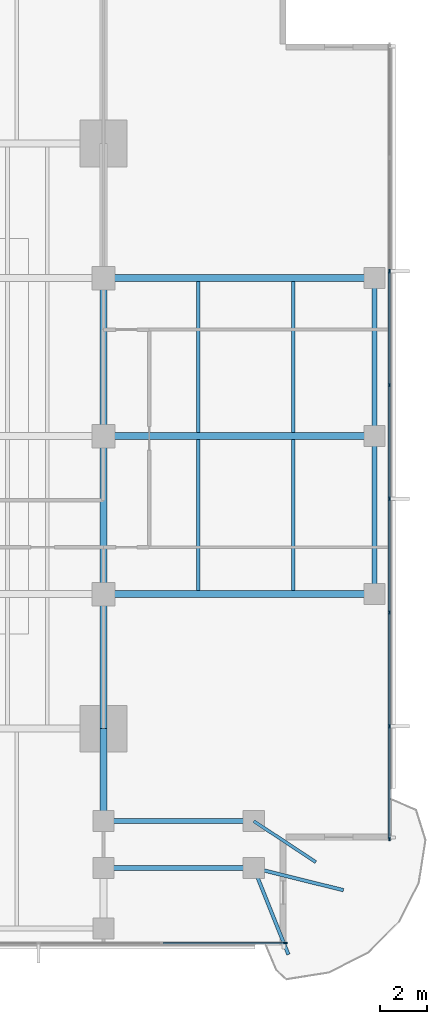
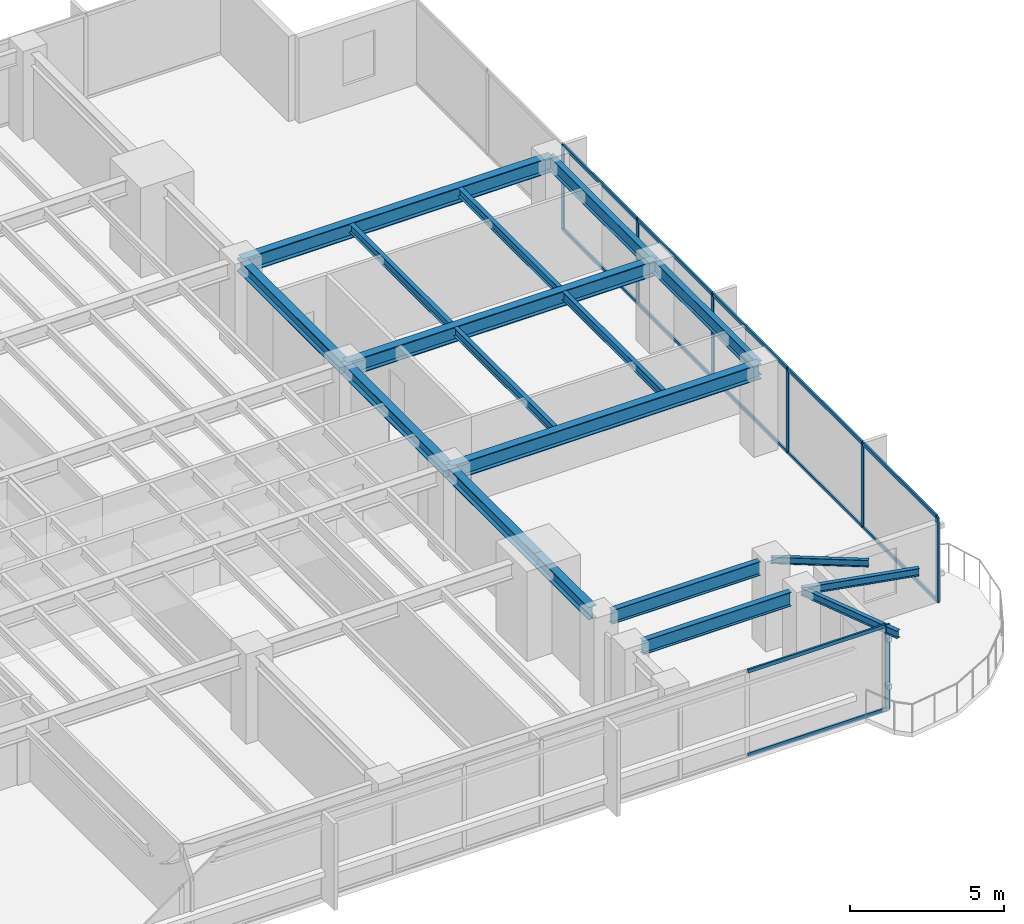
# One storey, part 4 of 15: 19 members, 18 beams, 2 elements without a shape of their own.
"""IFC4 building model written with IfcOpenShell, lengths in metres."""

from ifc_helpers import new_model, si_unit, direction, frame, origin, origin_2d, place, context, subcontext, project, spatial, rectangle, i_section, extrude, material, layer, layer_set, material_profile, profile_set, type_object, element, aggregate, save


model = new_model("IFC4")

# Units and contexts
model_context = context("Model", 3, precision=1e-05, world=origin(), true_north=direction((0.0, 1.0)))
body_context = subcontext(model_context, "Body", "Model", "MODEL_VIEW")
ifc_project = project(units=[si_unit("LENGTHUNIT", "METRE"), si_unit("AREAUNIT", "SQUARE_METRE"), si_unit("VOLUMEUNIT", "CUBIC_METRE"), si_unit("PLANEANGLEUNIT", "RADIAN"), si_unit("MASSUNIT", "GRAM", prefix="KILO")], contexts=[model_context])

# Site, building, storey
site_placement = place(None, origin())
site = spatial("IfcSite", under=ifc_project, at=site_placement, CompositionType="ELEMENT")
building_placement = place(site_placement, origin())
building = spatial("IfcBuilding", under=site, at=building_placement, Name="Kinhvarn Gate Tower", CompositionType="ELEMENT")
storey_placement = place(building_placement, frame((0.0, 0.0, 105.800048828125)))
storey = spatial("IfcBuildingStorey", under=building, at=storey_placement, Name="L27", CompositionType="ELEMENT", Elevation=105.800048828125)

# Curtain wall, member
ifc_material_1 = material(Name="Anodised aluminium AW-6063", Category="aluminium")
ifc_layer = layer(ifc_material_1, 0.179931640625)
ifc_layer_set = layer_set([ifc_layer], Name="Anodised aluminium AW-6063")
curtain_wall_type = type_object("IfcCurtainWallType", Name="CW-SYS-3", PredefinedType="NOTDEFINED", material=ifc_layer_set)
curtain_wall_1_placement = place(storey_placement, origin())
curtain_wall_1 = element("IfcCurtainWall", 1, at=curtain_wall_1_placement, inside=storey, type_object=curtain_wall_type, Name="Curtain Wall CW3 (L27)", PredefinedType="NOTDEFINED")
ifc_material_profile_1 = material_profile(ifc_material_1, rectangle(XDim=0.06494140625, YDim=0.159912109375, at=origin_2d()), Name="ALU 65x160")
ifc_profile_set_1 = profile_set([ifc_material_profile_1], Name="Anodised aluminium AW-6063")
member_type_1 = type_object("IfcMemberType", Name="CW-MUL-160", PredefinedType="MULLION", material=ifc_profile_set_1)
member_1_placement = place(storey_placement, frame((45.967529296875, 3.590087890625, 0.0), z_axis=(0.0, 0.0, 1.0), x_axis=(0.0, 1.0, 0.0)))
member_1 = element("IfcMember", 2, at=member_1_placement, type_object=member_type_1, Name="CW3 mullion 8", PredefinedType="MULLION", context=body_context, shape_type="SweptSolid", body=[
    extrude(rectangle(XDim=0.06494140625, YDim=0.159912109375, at=origin_2d()), origin(), (0.0, 0.0, 1.0), 3.369873046875),
])

# Curtain wall, members
curtain_wall_2_placement = place(storey_placement, origin())
curtain_wall_2 = element("IfcCurtainWall", 3, at=curtain_wall_2_placement, inside=storey, type_object=curtain_wall_type, Name="Curtain Wall CW3 (L27)", PredefinedType="NOTDEFINED")
member_2_placement = place(storey_placement, frame((50.409912109375, 8.032470703125, 0.0), z_axis=(0.0, 0.0, 1.0), x_axis=(-1.0, 0.0, 0.0)))
member_2 = element("IfcMember", 4, at=member_2_placement, type_object=member_type_1, Name="CW3 mullion 1", PredefinedType="MULLION", context=body_context, shape_type="SweptSolid", body=[
    extrude(rectangle(XDim=0.06494140625, YDim=0.159912109375, at=origin_2d()), origin(), (0.0, 0.0, 1.0), 3.369873046875),
])
member_3_placement = place(storey_placement, frame((50.409912109375, 12.857177734375, 0.0), z_axis=(0.0, 0.0, 1.0), x_axis=(-1.0, 0.0, 0.0)))
member_3 = element("IfcMember", 5, at=member_3_placement, type_object=member_type_1, Name="CW3 mullion 2", PredefinedType="MULLION", context=body_context, shape_type="SweptSolid", body=[
    extrude(rectangle(XDim=0.06494140625, YDim=0.159912109375, at=origin_2d()), origin(), (0.0, 0.0, 1.0), 3.369873046875),
])
member_4_placement = place(storey_placement, frame((50.409912109375, 17.71435546875, 0.0), z_axis=(0.0, 0.0, 1.0), x_axis=(-1.0, 0.0, 0.0)))
member_4 = element("IfcMember", 6, at=member_4_placement, type_object=member_type_1, Name="CW3 mullion 3", PredefinedType="MULLION", context=body_context, shape_type="SweptSolid", body=[
    extrude(rectangle(XDim=0.06494140625, YDim=0.159912109375, at=origin_2d()), origin(), (0.0, 0.0, 1.0), 3.369873046875),
])
member_5_placement = place(storey_placement, frame((50.409912109375, 22.571533203125, 0.0), z_axis=(0.0, 0.0, 1.0), x_axis=(-1.0, 0.0, 0.0)))
member_5 = element("IfcMember", 7, at=member_5_placement, type_object=member_type_1, Name="CW3 mullion 4", PredefinedType="MULLION", context=body_context, shape_type="SweptSolid", body=[
    extrude(rectangle(XDim=0.06494140625, YDim=0.159912109375, at=origin_2d()), origin(), (0.0, 0.0, 1.0), 3.369873046875),
])
member_6_placement = place(storey_placement, frame((50.409912109375, 27.428466796875, 0.0), z_axis=(0.0, 0.0, 1.0), x_axis=(-1.0, 0.0, 0.0)))
member_6 = element("IfcMember", 8, at=member_6_placement, type_object=member_type_1, Name="CW3 mullion 5", PredefinedType="MULLION", context=body_context, shape_type="SweptSolid", body=[
    extrude(rectangle(XDim=0.06494140625, YDim=0.159912109375, at=origin_2d()), origin(), (0.0, 0.0, 1.0), 3.369873046875),
])
member_7_placement = place(storey_placement, frame((50.409912109375, 32.28564453125, 0.0), z_axis=(0.0, 0.0, 1.0), x_axis=(-1.0, 0.0, 0.0)))
member_7 = element("IfcMember", 9, at=member_7_placement, type_object=member_type_1, Name="CW3 mullion 6", PredefinedType="MULLION", context=body_context, shape_type="SweptSolid", body=[
    extrude(rectangle(XDim=0.06494140625, YDim=0.159912109375, at=origin_2d()), origin(), (0.0, 0.0, 1.0), 3.369873046875),
])

# Member
ifc_material_profile_2 = material_profile(ifc_material_1, rectangle(XDim=0.070068359375, YDim=0.139892578125, at=origin_2d()), Name="ALU 70x140")
ifc_profile_set_2 = profile_set([ifc_material_profile_2], Name="Anodised aluminium AW-6063")
member_type_2 = type_object("IfcMemberType", Name="CW-TRN-140", PredefinedType="USERDEFINED", material=ifc_profile_set_2)
member_8_placement = place(storey_placement, frame((40.746826171875, 3.590087890625, 0.034912109375), z_axis=(1.0, 0.0, 0.0), x_axis=(0.0, 1.0, 0.0)))
member_8 = element("IfcMember", 10, at=member_8_placement, type_object=member_type_2, Name="CW3 transom 7.1", ObjectType="TRANSOM", PredefinedType="USERDEFINED", context=body_context, shape_type="SweptSolid", body=[
    extrude(rectangle(XDim=0.070068359375, YDim=0.139892578125, at=origin_2d()), origin(), (0.0, 0.0, 1.0), 5.188232421875),
])

member_9_placement = place(storey_placement, frame((40.746826171875, 3.590087890625, 3.3349609375), z_axis=(1.0, 0.0, 0.0), x_axis=(0.0, 1.0, 0.0)))
member_9 = element("IfcMember", 11, at=member_9_placement, type_object=member_type_2, Name="CW3 transom 7.2", ObjectType="TRANSOM", PredefinedType="USERDEFINED", context=body_context, shape_type="SweptSolid", body=[
    extrude(rectangle(XDim=0.070068359375, YDim=0.139892578125, at=origin_2d()), origin(), (0.0, 0.0, 1.0), 5.188232421875),
])

aggregate(curtain_wall_1, [member_1, member_8, member_9])

member_10_placement = place(storey_placement, frame((50.409912109375, 8.06494140625, 0.034912109375), z_axis=(0.0, 1.0, 0.0), x_axis=(-1.0, 0.0, 0.0)))
member_10 = element("IfcMember", 12, at=member_10_placement, type_object=member_type_2, Name="CW3 transom 1.1", ObjectType="TRANSOM", PredefinedType="USERDEFINED", context=body_context, shape_type="SweptSolid", body=[
    extrude(rectangle(XDim=0.070068359375, YDim=0.139892578125, at=origin_2d()), origin(), (0.0, 0.0, 1.0), 4.759765625),
])

member_11_placement = place(storey_placement, frame((50.409912109375, 8.06494140625, 3.3349609375), z_axis=(0.0, 1.0, 0.0), x_axis=(-1.0, 0.0, 0.0)))
member_11 = element("IfcMember", 13, at=member_11_placement, type_object=member_type_2, Name="CW3 transom 1.2", ObjectType="TRANSOM", PredefinedType="USERDEFINED", context=body_context, shape_type="SweptSolid", body=[
    extrude(rectangle(XDim=0.070068359375, YDim=0.139892578125, at=origin_2d()), origin(), (0.0, 0.0, 1.0), 4.759765625),
])

member_12_placement = place(storey_placement, frame((50.409912109375, 12.8896484375, 0.034912109375), z_axis=(0.0, 1.0, 0.0), x_axis=(-1.0, 0.0, 0.0)))
member_12 = element("IfcMember", 14, at=member_12_placement, type_object=member_type_2, Name="CW3 transom 2.1", ObjectType="TRANSOM", PredefinedType="USERDEFINED", context=body_context, shape_type="SweptSolid", body=[
    extrude(rectangle(XDim=0.070068359375, YDim=0.139892578125, at=origin_2d()), origin(), (0.0, 0.0, 1.0), 4.792236328125),
])

member_13_placement = place(storey_placement, frame((50.409912109375, 12.8896484375, 3.3349609375), z_axis=(0.0, 1.0, 0.0), x_axis=(-1.0, 0.0, 0.0)))
member_13 = element("IfcMember", 15, at=member_13_placement, type_object=member_type_2, Name="CW3 transom 2.2", ObjectType="TRANSOM", PredefinedType="USERDEFINED", context=body_context, shape_type="SweptSolid", body=[
    extrude(rectangle(XDim=0.070068359375, YDim=0.139892578125, at=origin_2d()), origin(), (0.0, 0.0, 1.0), 4.792236328125),
])

member_14_placement = place(storey_placement, frame((50.409912109375, 17.746826171875, 0.034912109375), z_axis=(0.0, 1.0, 0.0), x_axis=(-1.0, 0.0, 0.0)))
member_14 = element("IfcMember", 16, at=member_14_placement, type_object=member_type_2, Name="CW3 transom 3.1", ObjectType="TRANSOM", PredefinedType="USERDEFINED", context=body_context, shape_type="SweptSolid", body=[
    extrude(rectangle(XDim=0.070068359375, YDim=0.139892578125, at=origin_2d()), origin(), (0.0, 0.0, 1.0), 4.7919921875),
])

member_15_placement = place(storey_placement, frame((50.409912109375, 17.746826171875, 3.3349609375), z_axis=(0.0, 1.0, 0.0), x_axis=(-1.0, 0.0, 0.0)))
member_15 = element("IfcMember", 17, at=member_15_placement, type_object=member_type_2, Name="CW3 transom 3.2", ObjectType="TRANSOM", PredefinedType="USERDEFINED", context=body_context, shape_type="SweptSolid", body=[
    extrude(rectangle(XDim=0.070068359375, YDim=0.139892578125, at=origin_2d()), origin(), (0.0, 0.0, 1.0), 4.7919921875),
])

member_16_placement = place(storey_placement, frame((50.409912109375, 22.60400390625, 0.034912109375), z_axis=(0.0, 1.0, 0.0), x_axis=(-1.0, 0.0, 0.0)))
member_16 = element("IfcMember", 18, at=member_16_placement, type_object=member_type_2, Name="CW3 transom 4.1", ObjectType="TRANSOM", PredefinedType="USERDEFINED", context=body_context, shape_type="SweptSolid", body=[
    extrude(rectangle(XDim=0.070068359375, YDim=0.139892578125, at=origin_2d()), origin(), (0.0, 0.0, 1.0), 4.7919921875),
])

member_17_placement = place(storey_placement, frame((50.409912109375, 22.60400390625, 3.3349609375), z_axis=(0.0, 1.0, 0.0), x_axis=(-1.0, 0.0, 0.0)))
member_17 = element("IfcMember", 19, at=member_17_placement, type_object=member_type_2, Name="CW3 transom 4.2", ObjectType="TRANSOM", PredefinedType="USERDEFINED", context=body_context, shape_type="SweptSolid", body=[
    extrude(rectangle(XDim=0.070068359375, YDim=0.139892578125, at=origin_2d()), origin(), (0.0, 0.0, 1.0), 4.7919921875),
])

member_18_placement = place(storey_placement, frame((50.409912109375, 27.461181640625, 0.034912109375), z_axis=(0.0, 1.0, 0.0), x_axis=(-1.0, 0.0, 0.0)))
member_18 = element("IfcMember", 20, at=member_18_placement, type_object=member_type_2, Name="CW3 transom 5.1", ObjectType="TRANSOM", PredefinedType="USERDEFINED", context=body_context, shape_type="SweptSolid", body=[
    extrude(rectangle(XDim=0.070068359375, YDim=0.139892578125, at=origin_2d()), origin(), (0.0, 0.0, 1.0), 4.7919921875),
])

member_19_placement = place(storey_placement, frame((50.409912109375, 27.461181640625, 3.3349609375), z_axis=(0.0, 1.0, 0.0), x_axis=(-1.0, 0.0, 0.0)))
member_19 = element("IfcMember", 21, at=member_19_placement, type_object=member_type_2, Name="CW3 transom 5.2", ObjectType="TRANSOM", PredefinedType="USERDEFINED", context=body_context, shape_type="SweptSolid", body=[
    extrude(rectangle(XDim=0.070068359375, YDim=0.139892578125, at=origin_2d()), origin(), (0.0, 0.0, 1.0), 4.7919921875),
])

aggregate(curtain_wall_2, [member_2, member_3, member_4, member_5, member_6, member_7, member_10, member_11, member_12, member_13, member_14, member_15, member_16, member_17, member_18, member_19])

# Beams
ifc_material_2 = material(Name="Steel S355", Category="steel")
ifc_material_profile_3 = material_profile(ifc_material_2, i_section(OverallWidth=0.300048828125, OverallDepth=0.5, WebThickness=0.014404296875, FlangeThickness=0.028076171875, at=origin_2d()), Name="HEB 500")
ifc_profile_set_3 = profile_set([ifc_material_profile_3], Name="Steel S355")
beam_type_1 = type_object("IfcBeamType", Name="STL-HEB500", PredefinedType="BEAM", material=ifc_profile_set_3)
beam_1_placement = place(storey_placement, frame((38.199951171875, 9.235107421875, 3.119873046875), z_axis=(0.0, 1.0, 0.0), x_axis=(-1.0, 0.0, 0.0)))
element("IfcBeam", 22, at=beam_1_placement, inside=storey, type_object=beam_type_1, Name="Floor Beam PG-14 (L27 MCE-S-A2)", PredefinedType="BEAM", context=body_context, shape_type="SweptSolid", body=[
    extrude(i_section(OverallWidth=0.300048828125, OverallDepth=0.5, WebThickness=0.014404296875, FlangeThickness=0.028076171875, at=origin_2d()), origin(), (0.0, 0.0, 1.0), 3.514892578125),
])
beam_2_placement = place(storey_placement, frame((38.199951171875, 12.75, 3.119873046875), z_axis=(0.0, 1.0, 0.0), x_axis=(-1.0, 0.0, 0.0)))
element("IfcBeam", 23, at=beam_2_placement, inside=storey, type_object=beam_type_1, Name="Floor Beam PG-14 (L27 MG-E-12)", PredefinedType="BEAM", context=body_context, shape_type="SweptSolid", body=[
    extrude(i_section(OverallWidth=0.300048828125, OverallDepth=0.5, WebThickness=0.014404296875, FlangeThickness=0.028076171875, at=origin_2d()), origin(), (0.0, 0.0, 1.0), 5.75),
])
for number, where, z_axis, x_axis, name in (
    (24, (38.199951171875, 18.5, 3.119873046875), (0.0, 1.0, 0.0), (-1.0, 0.0, 0.0), "Floor Beam PG-14 (L27 MG-E-18)"),
    (25, (38.199951171875, 25.25, 3.119873046875), (0.0, 1.0, 0.0), (-1.0, 0.0, 0.0), "Floor Beam PG-14 (L27 MG-E-25)"),
):
    element("IfcBeam", number, at=place(storey_placement, frame(where, z_axis=z_axis, x_axis=x_axis)), inside=storey, type_object=beam_type_1, Name=name, PredefinedType="BEAM", context=body_context, shape_type="SweptSolid", body=[
        extrude(i_section(OverallWidth=0.300048828125, OverallDepth=0.5, WebThickness=0.014404296875, FlangeThickness=0.028076171875, at=origin_2d()), origin(), (0.0, 0.0, 1.0), 6.75),
    ])
ifc_material_profile_4 = material_profile(ifc_material_2, i_section(OverallWidth=0.300048828125, OverallDepth=0.60009765625, WebThickness=0.015380859375, FlangeThickness=0.030029296875, at=origin_2d()), Name="HEB 600")
ifc_profile_set_4 = profile_set([ifc_material_profile_4], Name="Steel S355")
beam_type_2 = type_object("IfcBeamType", Name="STL-HEB600", PredefinedType="BEAM", material=ifc_profile_set_4)
for number, where, z_axis, x_axis, name in (
    (26, (38.199951171875, 18.5, 3.070068359375), (1.0, 0.0, 0.0), (0.0, 1.0, 0.0), "Floor Beam PG-16 (L27 EW2-Y18)"),
    (27, (38.199951171875, 25.25, 3.070068359375), (1.0, 0.0, 0.0), (0.0, 1.0, 0.0), "Floor Beam PG-16 (L27 EW2-Y25)"),
    (28, (38.199951171875, 32.0, 3.070068359375), (1.0, 0.0, 0.0), (0.0, 1.0, 0.0), "Floor Beam PG-16 (L27 EW2-Y32)"),
):
    element("IfcBeam", number, at=place(storey_placement, frame(where, z_axis=z_axis, x_axis=x_axis)), inside=storey, type_object=beam_type_2, Name=name, PredefinedType="BEAM", context=body_context, shape_type="SweptSolid", body=[
        extrude(i_section(OverallWidth=0.300048828125, OverallDepth=0.60009765625, WebThickness=0.015380859375, FlangeThickness=0.030029296875, at=origin_2d()), origin(), (0.0, 0.0, 1.0), 11.580078125),
    ])
ifc_material_profile_5 = material_profile(ifc_material_2, i_section(OverallWidth=0.135009765625, OverallDepth=0.27001953125, WebThickness=0.006591796875, FlangeThickness=0.01025390625, at=origin_2d()), Name="IPE 270")
ifc_profile_set_5 = profile_set([ifc_material_profile_5], Name="Steel S355")
beam_type_3 = type_object("IfcBeamType", Name="STL-IPE270", PredefinedType="JOIST", material=ifc_profile_set_5)
beam_3_placement = place(storey_placement, frame((44.6201171875, 8.800048828125, 3.23486328125), z_axis=(0.834455271211, -0.5510756757, 0.0), x_axis=(0.5510756757, 0.834455271211, 0.0)))
element("IfcBeam", 29, at=beam_3_placement, inside=storey, type_object=beam_type_3, Name="Floor Joist SB-01 (L27 BAL-B3-L28)", PredefinedType="JOIST", context=body_context, shape_type="SweptSolid", body=[
    extrude(i_section(OverallWidth=0.135009765625, OverallDepth=0.27001953125, WebThickness=0.006591796875, FlangeThickness=0.01025390625, at=origin_2d()), origin(), (0.0, 0.0, 1.0), 3.175537109375),
])
ifc_material_profile_6 = material_profile(ifc_material_2, i_section(OverallWidth=0.14990234375, OverallDepth=0.300048828125, WebThickness=0.007080078125, FlangeThickness=0.0107421875, at=origin_2d()), Name="IPE 300")
ifc_profile_set_6 = profile_set([ifc_material_profile_6], Name="Steel S355")
beam_type_4 = type_object("IfcBeamType", Name="STL-IPE300", PredefinedType="JOIST", material=ifc_profile_set_6)
beam_4_placement = place(storey_placement, frame((44.6201171875, 6.800048828125, 3.219970703125), z_axis=(0.97058851083, -0.240744558911, 0.0), x_axis=(0.240744558911, 0.97058851083, 0.0)))
element("IfcBeam", 30, at=beam_4_placement, inside=storey, type_object=beam_type_4, Name="Floor Joist SB-02 (L27 BAL-B1-L28)", PredefinedType="JOIST", context=body_context, shape_type="SweptSolid", body=[
    extrude(i_section(OverallWidth=0.14990234375, OverallDepth=0.300048828125, WebThickness=0.007080078125, FlangeThickness=0.0107421875, at=origin_2d()), origin(), (0.0, 0.0, 1.0), 3.94580078125),
])
beam_5_placement = place(storey_placement, frame((44.6201171875, 6.800048828125, 3.219970703125), z_axis=(0.371390676354, -0.928476690885, 0.0), x_axis=(0.928476690885, 0.371390676354, 0.0)))
element("IfcBeam", 31, at=beam_5_placement, inside=storey, type_object=beam_type_4, Name="Floor Joist SB-02 (L27 BAL-B2-L28)", PredefinedType="JOIST", context=body_context, shape_type="SweptSolid", body=[
    extrude(i_section(OverallWidth=0.14990234375, OverallDepth=0.300048828125, WebThickness=0.007080078125, FlangeThickness=0.0107421875, at=origin_2d()), origin(), (0.0, 0.0, 1.0), 3.98486328125),
])
ifc_material_profile_7 = material_profile(ifc_material_2, i_section(OverallWidth=0.159912109375, OverallDepth=0.330078125, WebThickness=0.007568359375, FlangeThickness=0.011474609375, at=origin_2d()), Name="IPE 330")
ifc_profile_set_7 = profile_set([ifc_material_profile_7], Name="Steel S355")
beam_type_5 = type_object("IfcBeamType", Name="STL-IPE330", PredefinedType="JOIST", material=ifc_profile_set_7)
for number, where, z_axis, x_axis, name in (
    (32, (42.25, 18.64990234375, 3.204833984375), (0.0, 1.0, 0.0), (-1.0, 0.0, 0.0), "Floor Joist SB-03 (L27 JC-X422-1)"),
    (33, (42.25, 25.39990234375, 3.204833984375), (0.0, 1.0, 0.0), (-1.0, 0.0, 0.0), "Floor Joist SB-03 (L27 JC-X422-2)"),
    (34, (46.31005859375, 18.64990234375, 3.204833984375), (0.0, 1.0, 0.0), (-1.0, 0.0, 0.0), "Floor Joist SB-03 (L27 JC-X463-1)"),
    (35, (46.31005859375, 25.39990234375, 3.204833984375), (0.0, 1.0, 0.0), (-1.0, 0.0, 0.0), "Floor Joist SB-03 (L27 JC-X463-2)"),
):
    element("IfcBeam", number, at=place(storey_placement, frame(where, z_axis=z_axis, x_axis=x_axis)), inside=storey, type_object=beam_type_5, Name=name, PredefinedType="JOIST", context=body_context, shape_type="SweptSolid", body=[
        extrude(i_section(OverallWidth=0.159912109375, OverallDepth=0.330078125, WebThickness=0.007568359375, FlangeThickness=0.011474609375, at=origin_2d()), origin(), (0.0, 0.0, 1.0), 6.4501953125),
    ])
ifc_material_profile_8 = material_profile(ifc_material_2, i_section(OverallWidth=0.2099609375, OverallDepth=0.550048828125, WebThickness=0.010986328125, FlangeThickness=0.01708984375, at=origin_2d()), Name="IPE 550")
ifc_profile_set_8 = profile_set([ifc_material_profile_8], Name="Steel S355")
beam_type_6 = type_object("IfcBeamType", Name="STL-IPE550", PredefinedType="SPANDREL", material=ifc_profile_set_8)
for number, where, z_axis, x_axis, name in (
    (36, (38.635009765625, 8.800048828125, 3.094970703125), (1.0, 0.0, 0.0), (0.0, 1.0, 0.0), "Floor Spandrel SB-08 (L27 SP-SE2)"),
    (37, (38.635009765625, 6.800048828125, 3.094970703125), (1.0, 0.0, 0.0), (0.0, 1.0, 0.0), "Floor Spandrel SB-08 (L27 SP-SE2-S)"),
):
    element("IfcBeam", number, at=place(storey_placement, frame(where, z_axis=z_axis, x_axis=x_axis)), inside=storey, type_object=beam_type_6, Name=name, PredefinedType="SPANDREL", context=body_context, shape_type="SweptSolid", body=[
        extrude(i_section(OverallWidth=0.2099609375, OverallDepth=0.550048828125, WebThickness=0.010986328125, FlangeThickness=0.01708984375, at=origin_2d()), origin(), (0.0, 0.0, 1.0), 5.550048828125),
    ])
for number, where, z_axis, x_axis, name in (
    (38, (49.780029296875, 18.5, 3.094970703125), (0.0, 1.0, 0.0), (-1.0, 0.0, 0.0), "Floor Spandrel SB-08 (L27 SP-E2)"),
    (39, (49.780029296875, 25.25, 3.094970703125), (0.0, 1.0, 0.0), (-1.0, 0.0, 0.0), "Floor Spandrel SB-08 (L27 SP-E3)"),
):
    element("IfcBeam", number, at=place(storey_placement, frame(where, z_axis=z_axis, x_axis=x_axis)), inside=storey, type_object=beam_type_6, Name=name, PredefinedType="SPANDREL", context=body_context, shape_type="SweptSolid", body=[
        extrude(i_section(OverallWidth=0.2099609375, OverallDepth=0.550048828125, WebThickness=0.010986328125, FlangeThickness=0.01708984375, at=origin_2d()), origin(), (0.0, 0.0, 1.0), 6.75),
    ])

save(model, "model.ifc")
